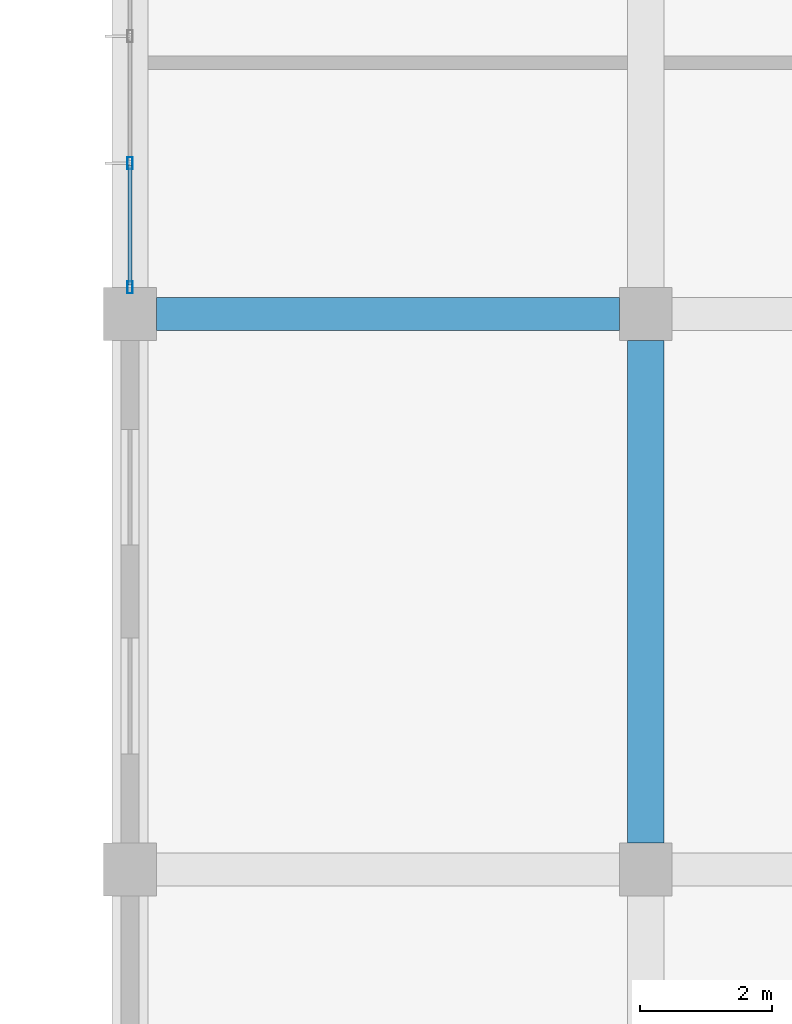
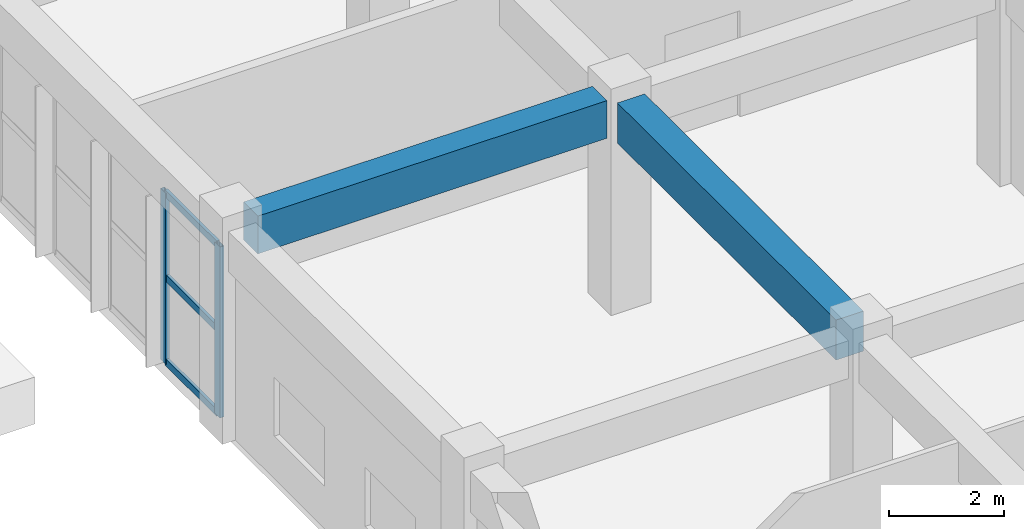
# One storey, part 37 of 139: 5 members, 2 beams, 1 element without a shape of its own.
"""IFC4 building model written with IfcOpenShell, lengths in metres."""

from ifc_helpers import new_model, si_unit, direction, frame, origin, origin_2d, place, context, subcontext, project, spatial, rectangle, hollow_rectangle, extrude, material, layer, layer_set, material_profile, profile_set, type_object, element, aggregate, save


model = new_model("IFC4")

# Units and contexts
model_context = context("Model", 3, precision=1e-05, world=origin(), true_north=direction((0.0, 1.0)))
body_context = subcontext(model_context, "Body", "Model", "MODEL_VIEW")
ifc_project = project(units=[si_unit("LENGTHUNIT", "METRE"), si_unit("AREAUNIT", "SQUARE_METRE"), si_unit("VOLUMEUNIT", "CUBIC_METRE"), si_unit("PLANEANGLEUNIT", "RADIAN"), si_unit("MASSUNIT", "GRAM", prefix="KILO")], contexts=[model_context])

# Site, building, storey
site_placement = place(None, origin())
site = spatial("IfcSite", under=ifc_project, at=site_placement, CompositionType="ELEMENT")
building_placement = place(site_placement, origin())
building = spatial("IfcBuilding", under=site, at=building_placement, Name="Zizhar Promenade General Hospital", CompositionType="ELEMENT")
storey_placement = place(building_placement, origin())
storey = spatial("IfcBuildingStorey", under=building, at=storey_placement, Name="L00", CompositionType="ELEMENT", Elevation=0.0)

# Beams
ifc_material_1 = material(Name="Concrete C35/45", Category="concrete")
ifc_material_profile_1 = material_profile(ifc_material_1, rectangle(XDim=0.5, YDim=0.800048828125, at=origin_2d()))
ifc_profile_set_1 = profile_set([ifc_material_profile_1], Name="Concrete C35/45")
beam_type_1 = type_object("IfcBeamType", Name="BM-RC-500x800", PredefinedType="BEAM", material=ifc_profile_set_1)
beam_1_placement = place(storey_placement, frame((47.199951171875, 117.60009765625, 4.070068359375), z_axis=(1.0, 0.0, 0.0), x_axis=(0.0, 1.0, 0.0)))
element("IfcBeam", 1, at=beam_1_placement, inside=storey, type_object=beam_type_1, Name="Grid Beam X L00 (6-14)", PredefinedType="BEAM", context=body_context, shape_type="SweptSolid", body=[
    extrude(rectangle(XDim=0.5, YDim=0.800048828125, at=origin_2d()), origin(), (0.0, 0.0, 1.0), 7.0),
])
ifc_material_2 = material(Name="Concrete C35/45", Category="concrete")
ifc_material_profile_2 = material_profile(ifc_material_2, rectangle(XDim=0.550048828125, YDim=0.85009765625, at=origin_2d()))
ifc_profile_set_2 = profile_set([ifc_material_profile_2], Name="Concrete C35/45")
beam_type_2 = type_object("IfcBeamType", Name="BM-RC-550x850", PredefinedType="BEAM", material=ifc_profile_set_2)
beam_2_placement = place(storey_placement, frame((54.60009765625, 109.60009765625, 4.044921875), z_axis=(0.0, 1.0, 0.0), x_axis=(-1.0, 0.0, 0.0)))
element("IfcBeam", 2, at=beam_2_placement, inside=storey, type_object=beam_type_2, Name="Grid Beam Y L00 (7-13)", PredefinedType="BEAM", context=body_context, shape_type="SweptSolid", body=[
    extrude(rectangle(XDim=0.550048828125, YDim=0.85009765625, at=origin_2d()), origin(), (0.0, 0.0, 1.0), 7.599853515625),
])

# Curtain wall, members
ifc_material_3 = material(Name="Anodised aluminium 6063-T6 and low-E glass", Category="aluminium")
ifc_layer = layer(ifc_material_3, 0.159912109375)
ifc_layer_set = layer_set([ifc_layer], Name="Anodised aluminium 6063-T6 and low-E glass")
curtain_wall_type = type_object("IfcCurtainWallType", Name="CW-DT-MOD1", PredefinedType="NOTDEFINED", material=ifc_layer_set)
curtain_wall_placement = place(storey_placement, origin())
curtain_wall = element("IfcCurtainWall", 3, at=curtain_wall_placement, inside=storey, type_object=curtain_wall_type, Name="Surgical West Glazed Curtain Wall L00-14", PredefinedType="NOTDEFINED")
ifc_material_4 = material(Name="Anodised aluminium 6063-T6", Category="aluminium")
ifc_material_profile_3 = material_profile(ifc_material_4, hollow_rectangle(XDim=0.080078125, YDim=0.179931640625, WallThickness=0.0048828125, at=origin_2d()))
ifc_profile_set_3 = profile_set([ifc_material_profile_3], Name="Anodised aluminium 6063-T6")
member_type_1 = type_object("IfcMemberType", Name="CWM-ALU-180x80", PredefinedType="MULLION", material=ifc_profile_set_3)
member_1_placement = place(storey_placement, frame((46.800048828125, 118.0, 0.0), z_axis=(0.0, 0.0, 1.0), x_axis=(-1.0, 0.0, 0.0)))
member_1 = element("IfcMember", 4, at=member_1_placement, type_object=member_type_1, Name="CW-07 mullion 1", PredefinedType="MULLION", context=body_context, shape_type="SweptSolid", body=[
    extrude(hollow_rectangle(XDim=0.080078125, YDim=0.179931640625, WallThickness=0.0048828125, at=origin_2d()), origin(), (0.0, 0.0, 1.0), 3.6298828125),
])
member_2_placement = place(storey_placement, frame((46.800048828125, 119.8798828125, 0.0), z_axis=(0.0, 0.0, 1.0), x_axis=(-1.0, 0.0, 0.0)))
member_2 = element("IfcMember", 5, at=member_2_placement, type_object=member_type_1, Name="CW-07 mullion 2", PredefinedType="MULLION", context=body_context, shape_type="SweptSolid", body=[
    extrude(hollow_rectangle(XDim=0.080078125, YDim=0.179931640625, WallThickness=0.0048828125, at=origin_2d()), origin(), (0.0, 0.0, 1.0), 3.6298828125),
])
ifc_material_5 = material(Name="Anodised aluminium 6063-T6", Category="aluminium")
ifc_material_profile_4 = material_profile(ifc_material_5, hollow_rectangle(XDim=0.06005859375, YDim=0.14990234375, WallThickness=0.00390625, at=origin_2d()))
ifc_profile_set_4 = profile_set([ifc_material_profile_4], Name="Anodised aluminium 6063-T6")
member_type_2 = type_object("IfcMemberType", Name="CWT-ALU-150x60", PredefinedType="USERDEFINED", material=ifc_profile_set_4)
member_3_placement = place(storey_placement, frame((46.800048828125, 118.0400390625, 0.030029296875), z_axis=(0.0, 1.0, 0.0), x_axis=(-1.0, 0.0, 0.0)))
member_3 = element("IfcMember", 6, at=member_3_placement, type_object=member_type_2, Name="CW-07 transom 1.1", ObjectType="TRANSOM", PredefinedType="USERDEFINED", context=body_context, shape_type="SweptSolid", body=[
    extrude(hollow_rectangle(XDim=0.06005859375, YDim=0.14990234375, WallThickness=0.00390625, at=origin_2d()), origin(), (0.0, 0.0, 1.0), 1.800048828125),
])
member_4_placement = place(storey_placement, frame((46.800048828125, 118.0400390625, 1.81494140625), z_axis=(0.0, 1.0, 0.0), x_axis=(-1.0, 0.0, 0.0)))
member_4 = element("IfcMember", 7, at=member_4_placement, type_object=member_type_2, Name="CW-07 transom 1.2", ObjectType="TRANSOM", PredefinedType="USERDEFINED", context=body_context, shape_type="SweptSolid", body=[
    extrude(hollow_rectangle(XDim=0.06005859375, YDim=0.14990234375, WallThickness=0.00390625, at=origin_2d()), origin(), (0.0, 0.0, 1.0), 1.800048828125),
])
member_5_placement = place(storey_placement, frame((46.800048828125, 118.0400390625, 3.60009765625), z_axis=(0.0, 1.0, 0.0), x_axis=(-1.0, 0.0, 0.0)))
member_5 = element("IfcMember", 8, at=member_5_placement, type_object=member_type_2, Name="CW-07 transom 1.3", ObjectType="TRANSOM", PredefinedType="USERDEFINED", context=body_context, shape_type="SweptSolid", body=[
    extrude(hollow_rectangle(XDim=0.06005859375, YDim=0.14990234375, WallThickness=0.00390625, at=origin_2d()), origin(), (0.0, 0.0, 1.0), 1.800048828125),
])
aggregate(curtain_wall, [member_1, member_2, member_3, member_4, member_5])

save(model, "model.ifc")
